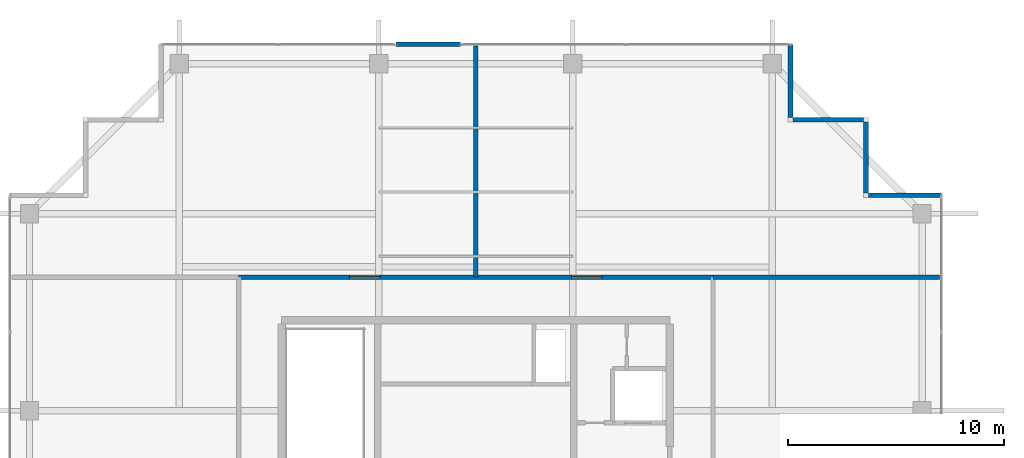
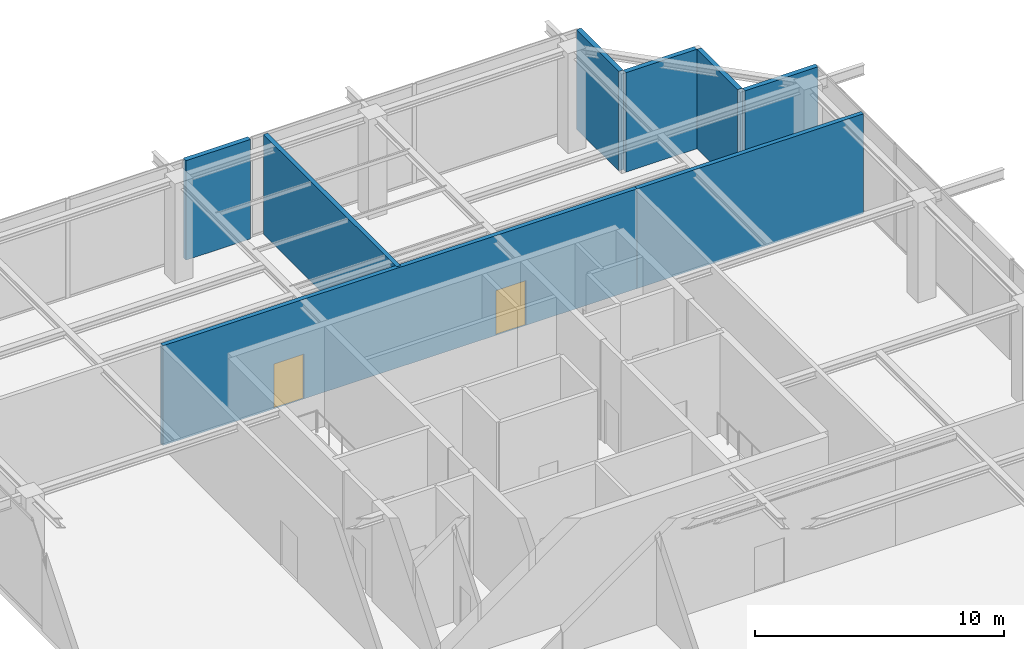
# One storey, part 26 of 27: 8 walls, 2 doors, 2 openings.
"""IFC4 building model written with IfcOpenShell, lengths in metres."""

from ifc_helpers import new_model, si_unit, direction, frame, frame_2d, origin, place, context, subcontext, project, spatial, rectangle, extrude, source, transform, mapped, material, layer, layer_set, type_object, element, fill, save


model = new_model("IFC4")

# Units and contexts
model_context = context("Model", 3, precision=1e-05, world=origin(), true_north=direction((0.0, 1.0)))
body_context = subcontext(model_context, "Body", "Model", "MODEL_VIEW")
ifc_project = project(units=[si_unit("LENGTHUNIT", "METRE"), si_unit("AREAUNIT", "SQUARE_METRE"), si_unit("VOLUMEUNIT", "CUBIC_METRE"), si_unit("PLANEANGLEUNIT", "RADIAN"), si_unit("MASSUNIT", "GRAM", prefix="KILO")], contexts=[model_context])

# Site, building, storey
site_placement = place(None, origin())
site = spatial("IfcSite", under=ifc_project, at=site_placement, CompositionType="ELEMENT")
building_placement = place(site_placement, origin())
building = spatial("IfcBuilding", under=site, at=building_placement, Name="Serunith Strait Residences", CompositionType="ELEMENT")
storey_placement = place(building_placement, frame((0.0, 0.0, 365.75)))
storey = spatial("IfcBuildingStorey", under=building, at=storey_placement, Name="L89", CompositionType="ELEMENT", Elevation=365.75)

# Walls
ifc_material_1 = material(Name="Pale-Champagne Aluminium Insulated Panel", Category="aluminium")
ifc_layer_1 = layer(ifc_material_1, 0.219970703125, Name="Pale-Champagne Aluminium Insulated Panel")
ifc_layer_set_1 = layer_set([ifc_layer_1], Name="Pale-Champagne Aluminium Insulated Panel")
wall_type_1 = type_object("IfcWallType", Name="EW-ALUM-220", PredefinedType="ELEMENTEDWALL", material=ifc_layer_set_1)
wall_1_placement = place(storey_placement, frame((54.0, 39.39990234375, 0.0), z_axis=(0.0, 0.0, 1.0), x_axis=(-1.0, 0.0, 0.0)))
element("IfcWall", 1, at=wall_1_placement, inside=storey, type_object=wall_type_1, Name="L89 Girih Serrated Corner Wall 07", PredefinedType="ELEMENTEDWALL", context=body_context, shape_type="SweptSolid", body=[
    extrude(rectangle(XDim=3.389892578125, YDim=0.219970703125, at=frame_2d((1.69482421875, 0.0))), origin(), (0.0, 0.0, 1.0), 4.885009765625),
])
wall_2_placement = place(storey_placement, frame((50.5, 39.510009765625, 0.0), z_axis=(0.0, 0.0, 1.0), x_axis=(0.0, 1.0, 0.0)))
element("IfcWall", 2, at=wall_2_placement, inside=storey, type_object=wall_type_1, Name="L89 Girih Serrated Corner Wall 08", PredefinedType="ELEMENTEDWALL", context=body_context, shape_type="SweptSolid", body=[
    extrude(rectangle(XDim=3.280029296875, YDim=0.219970703125, at=frame_2d((1.64013671875, 0.0))), origin(), (0.0, 0.0, 1.0), 4.885009765625),
])
wall_3_placement = place(storey_placement, frame((50.389892578125, 42.89990234375, 0.0), z_axis=(0.0, 0.0, 1.0), x_axis=(-1.0, 0.0, 0.0)))
element("IfcWall", 3, at=wall_3_placement, inside=storey, type_object=wall_type_1, Name="L89 Girih Serrated Corner Wall 09", PredefinedType="ELEMENTEDWALL", context=body_context, shape_type="SweptSolid", body=[
    extrude(rectangle(XDim=3.27978515625, YDim=0.219970703125, at=frame_2d((1.639892578125, 0.0))), origin(), (0.0, 0.0, 1.0), 4.885009765625),
])
wall_4_placement = place(storey_placement, frame((47.0, 43.010009765625, 0.0), z_axis=(0.0, 0.0, 1.0), x_axis=(0.0, 1.0, 0.0)))
element("IfcWall", 4, at=wall_4_placement, inside=storey, type_object=wall_type_1, Name="L89 Girih Serrated Corner Wall 10", PredefinedType="ELEMENTEDWALL", context=body_context, shape_type="SweptSolid", body=[
    extrude(rectangle(XDim=3.389892578125, YDim=0.219970703125, at=frame_2d((1.69482421875, 0.0))), origin(), (0.0, 0.0, 1.0), 4.885009765625),
])
wall_5_placement = place(storey_placement, frame((31.699951171875, 46.39990234375, 0.0), z_axis=(0.0, 0.0, 1.0), x_axis=(-1.0, 0.0, 0.0)))
element("IfcWall", 5, at=wall_5_placement, inside=storey, type_object=wall_type_1, Name="L89 N Facade Pier Wall", PredefinedType="ELEMENTEDWALL", context=body_context, shape_type="SweptSolid", body=[
    extrude(rectangle(XDim=3.0, YDim=0.219970703125, at=frame_2d((1.5, 0.0))), origin(), (0.0, 0.0, 1.0), 4.885009765625),
])

# Wall, openings, doors
ifc_material_2 = material(Name="Acoustic concrete block plant wall", Category="concrete")
ifc_layer_2 = layer(ifc_material_2, 0.199951171875, Name="Acoustic concrete block plant wall")
ifc_layer_set_2 = layer_set([ifc_layer_2], Name="Acoustic concrete block plant wall")
wall_type_2 = type_object("IfcWallType", Name="IW-PLANT-200", PredefinedType="STANDARD", material=ifc_layer_set_2)
wall_6_placement = place(storey_placement, frame((21.39990234375, 35.60009765625, 0.0), z_axis=(0.0, 0.0, 1.0), x_axis=(1.0, 0.0, 0.0)))
wall_6 = element("IfcWall", 6, at=wall_6_placement, inside=storey, type_object=wall_type_2, Name="L89 Partition Wall 022", PredefinedType="STANDARD", context=body_context, shape_type="SweptSolid", body=[
    extrude(rectangle(XDim=22.0, YDim=0.199951171875, at=frame_2d((11.0, 0.0))), origin(), (0.0, 0.0, 1.0), 4.89990234375),
])
opening_1_placement = place(wall_6_placement, frame((5.14990234375, 0.0, 0.0)))
opening_1 = element("IfcOpeningElement", 7, at=opening_1_placement, cuts=wall_6, Name="Opening FD-1400", PredefinedType="OPENING", context=body_context, shape_type="SweptSolid", body=[
    extrude(rectangle(XDim=1.39990234375, YDim=2.199951171875, at=frame_2d((0.699951171875, 1.10009765625))), frame((0.0, 0.10986328125, 0.0), z_axis=(0.0, -1.0, 0.0), x_axis=(1.0, 0.0, 0.0)), (0.0, 0.0, 1.0), 0.219970703125),
])
opening_2_placement = place(wall_6_placement, frame((15.449951171875, 0.0, 0.0)))
opening_2 = element("IfcOpeningElement", 8, at=opening_2_placement, cuts=wall_6, Name="Opening FD-1400", PredefinedType="OPENING", context=body_context, shape_type="SweptSolid", body=[
    extrude(rectangle(XDim=1.39990234375, YDim=2.199951171875, at=frame_2d((0.699951171875, 1.10009765625))), frame((0.0, 0.10986328125, 0.0), z_axis=(0.0, -1.0, 0.0), x_axis=(1.0, 0.0, 0.0)), (0.0, 0.0, 1.0), 0.219970703125),
])
ifc_material_3 = material(Name="Acoustic double-skin steel plant door", Category="steel")
door_type = type_object("IfcDoorType", Name="FD-PLANT-1400", OperationType="DOUBLE_DOOR_SINGLE_SWING", PredefinedType="DOOR", material=ifc_material_3)
shared_shape = source(origin(), body_context, "Body", "SweptSolid", [
    extrude(rectangle(XDim=1.39990234375, YDim=2.199951171875, at=frame_2d((0.699951171875, 1.10009765625))), frame((0.0, 0.02490234375, 0.0), z_axis=(0.0, -1.0, 0.0), x_axis=(1.0, 0.0, 0.0)), (0.0, 0.0, 1.0), 0.050048828125),
])
door_1_placement = place(opening_1_placement, origin())
door_1 = element("IfcDoor", 9, at=door_1_placement, inside=storey, type_object=door_type, Name="Lift Motor Plant Door", OperationType="DOUBLE_DOOR_SINGLE_SWING", OverallHeight=2.199951171875, OverallWidth=1.39990234375, PredefinedType="DOOR", context=body_context, shape_type="MappedRepresentation", body=[
    mapped(shared_shape, transform((0.0, 0.0, 0.0), scale=1.0)),
])
fill(opening_1, door_1)
door_2_placement = place(opening_2_placement, origin())
door_2 = element("IfcDoor", 10, at=door_2_placement, inside=storey, type_object=door_type, Name="Pressurization Plant Door", OperationType="DOUBLE_DOOR_SINGLE_SWING", OverallHeight=2.199951171875, OverallWidth=1.39990234375, PredefinedType="DOOR", context=body_context, shape_type="MappedRepresentation", body=[
    mapped(shared_shape, transform((0.0, 0.0, 0.0), scale=1.0)),
])
fill(opening_2, door_2)

# Walls
wall_7_placement = place(storey_placement, frame((43.402099609375, 35.60009765625, 0.0), z_axis=(0.0, 0.0, 1.0), x_axis=(1.0, 0.0, 0.0)))
element("IfcWall", 11, at=wall_7_placement, inside=storey, type_object=wall_type_2, Name="L89 Partition Wall 028", PredefinedType="STANDARD", context=body_context, shape_type="SweptSolid", body=[
    extrude(rectangle(XDim=10.515869140625, YDim=0.199951171875, at=frame_2d((5.2578125, 0.0))), origin(), (0.0, 0.0, 1.0), 4.89990234375),
])
wall_8_placement = place(storey_placement, frame((32.39990234375, 35.60009765625, 0.0), z_axis=(0.0, 0.0, 1.0), x_axis=(0.0, 1.0, 0.0)))
element("IfcWall", 12, at=wall_8_placement, inside=storey, type_object=wall_type_2, Name="L89 Partition Wall 030", PredefinedType="STANDARD", context=body_context, shape_type="SweptSolid", body=[
    extrude(rectangle(XDim=10.718017578125, YDim=0.199951171875, at=frame_2d((5.35888671875, 0.0))), origin(), (0.0, 0.0, 1.0), 4.89990234375),
])

save(model, "model.ifc")
